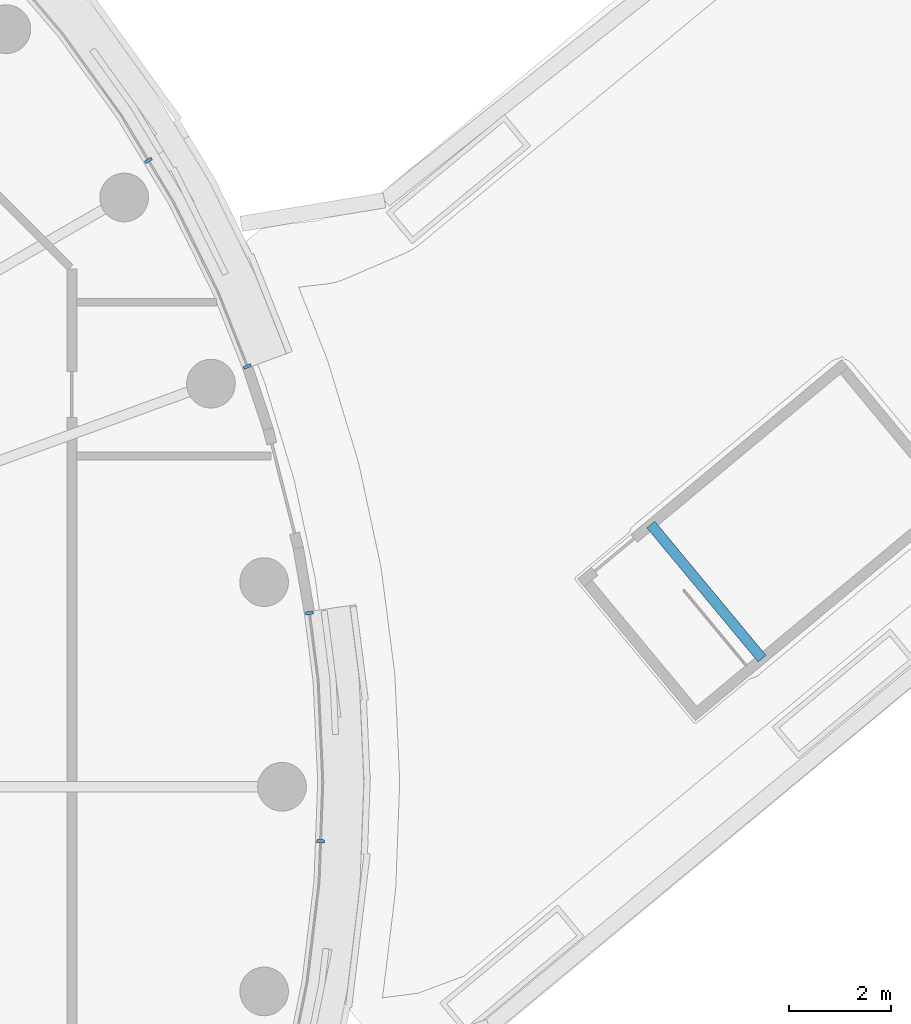
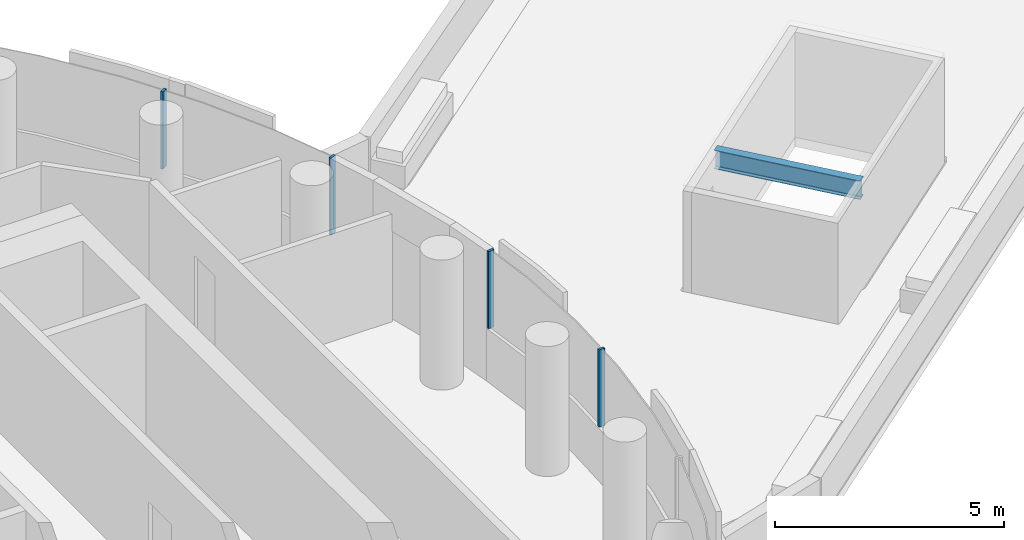
# One storey, part 14 of 34: 4 members, 1 beam, 1 element without a shape of its own.
"""IFC4 building model written with IfcOpenShell, lengths in metres."""

import ifcopenshell
import ifcopenshell.guid

model = None  # the IFC model being written
_history = None  # IfcOwnerHistory: only IFC2X3 demands one
_inside = {}  # id of a spatial element -> (the spatial element, [elements in it])
_under = {}  # id of a project, library or spatial element -> (it, [spatial elements below it])
_declared = {}  # id of a project -> (the project, [libraries it declares])
_typed = {}  # id of a type object -> (the type object, [elements of that type])
_made_of = {}  # id of a material, layer set ... -> (it, [elements and type objects made of it])


def new_model(schema):
    """Start an empty IFC model of exactly this schema.

    Asked for "IFC4X3", IfcOpenShell would pick the latest addendum, in which some entities
    have other attributes; the version numbers below select the first issue.
    IFC2X3 requires an IfcOwnerHistory on every rooted entity: one is made here for all.
    """
    global model, _history
    if schema == "IFC4X3":
        model = ifcopenshell.file(schema_version=(4, 3, 0, 0))
    else:
        model = ifcopenshell.file(schema=schema)
    _inside.clear()
    _under.clear()
    _declared.clear()
    _typed.clear()
    _made_of.clear()
    _history = None
    if model.schema == "IFC2X3":
        org = make("IfcOrganization", Name="unknown")
        user = make(
            "IfcPersonAndOrganization",
            ThePerson=make("IfcPerson", FamilyName="unknown"),
            TheOrganization=org,
        )
        app = make(
            "IfcApplication",
            ApplicationDeveloper=org,
            Version="unknown",
            ApplicationFullName="unknown",
            ApplicationIdentifier="unknown",
        )
        _history = make(
            "IfcOwnerHistory",
            OwningUser=user,
            OwningApplication=app,
            ChangeAction="ADDED",
            CreationDate=0,
        )
    return model


def make(cls, **values):
    """One entity of the class cls with the attributes given. An attribute that is None is left unset."""
    return model.create_entity(
        cls, **{name: value for name, value in values.items() if value is not None}
    )


def rooted(cls, **values):
    """An entity with a GlobalId (a new one), such as an element, a storey or a relation."""
    return make(cls, GlobalId=ifcopenshell.guid.new(), OwnerHistory=_history, **values)


def si_unit(unit_type, name, prefix=None):
    """IfcSIUnit, for example si_unit("LENGTHUNIT", "METRE", prefix="MILLI")."""
    return make("IfcSIUnit", UnitType=unit_type, Prefix=prefix, Name=name)


def assignment(units):
    """IfcUnitAssignment: the units of a project."""
    return None if units is None else make("IfcUnitAssignment", Units=units)


def point(xyz):
    """IfcCartesianPoint."""
    return None if xyz is None else make("IfcCartesianPoint", Coordinates=xyz)


def direction(xyz):
    """IfcDirection."""
    return None if xyz is None else make("IfcDirection", DirectionRatios=xyz)


def frame(location, z_axis=None, x_axis=None):
    """IfcAxis2Placement3D, a coordinate frame: its origin and axes. An axis left out is left unset."""
    return make(
        "IfcAxis2Placement3D",
        Location=point(location),
        Axis=direction(z_axis),
        RefDirection=direction(x_axis),
    )


def frame_2d(location, x_axis=None):
    """IfcAxis2Placement2D, a coordinate frame in the plane: its origin and x axis."""
    return make(
        "IfcAxis2Placement2D", Location=point(location), RefDirection=direction(x_axis)
    )


def origin():
    """The frame at (0, 0, 0) with its axes left unset."""
    return frame((0.0, 0.0, 0.0))


def origin_2d():
    """The frame at (0, 0) in the plane with its x axis left unset."""
    return frame_2d((0.0, 0.0))


def place(relative_to, where):
    """IfcLocalPlacement: puts the frame where relative to a parent placement (None: the world)."""
    return make(
        "IfcLocalPlacement", PlacementRelTo=relative_to, RelativePlacement=where
    )


def context(
    kind, dimensions, precision=None, world=None, true_north=None, identifier=None
):
    """IfcGeometricRepresentationContext, for example the 3D "Model" context."""
    return make(
        "IfcGeometricRepresentationContext",
        ContextIdentifier=identifier,
        ContextType=kind,
        CoordinateSpaceDimension=dimensions,
        Precision=precision,
        WorldCoordinateSystem=world,
        TrueNorth=true_north,
    )


def subcontext(parent, identifier, kind, view, scale=None):
    """IfcGeometricRepresentationSubContext, for example "Body" below "Model"."""
    return make(
        "IfcGeometricRepresentationSubContext",
        ContextIdentifier=identifier,
        ContextType=kind,
        ParentContext=parent,
        TargetScale=scale,
        TargetView=view,
    )


def project(units=None, contexts=None):
    """IfcProject with its units and contexts."""
    return rooted(
        "IfcProject",
        Name="project",
        RepresentationContexts=contexts,
        UnitsInContext=assignment(units),
    )


def spatial(cls, under=None, at=None, **own):
    """A site, building, storey or space (cls), placed at a placement, below another one or the project."""
    s = rooted(cls, ObjectPlacement=at, **own)
    if under is not None:
        _under.setdefault(under.id(), (under, []))[1].append(s)
    return s


def profile(cls, at=None, kind="AREA", **sizes):
    """A parametric profile (cls). Its sizes go by their IFC names, for example OverallWidth=200.0."""
    return make(cls, ProfileType=kind, Position=at, **sizes)


def rectangle(**sizes):
    """IfcRectangleProfileDef."""
    return profile("IfcRectangleProfileDef", **sizes)


def i_section(**sizes):
    """IfcIShapeProfileDef."""
    return profile("IfcIShapeProfileDef", **sizes)


def extrude(swept, where, along, depth):
    """IfcExtrudedAreaSolid: the profile swept, set in the frame where, extruded along a direction by depth."""
    return make(
        "IfcExtrudedAreaSolid",
        SweptArea=swept,
        Position=where,
        ExtrudedDirection=direction(along),
        Depth=depth,
    )


def shape(context_of_items, identifier, shape_type, items):
    """IfcShapeRepresentation: the items that make up one representation, for example the "Body"."""
    return make(
        "IfcShapeRepresentation",
        ContextOfItems=context_of_items,
        RepresentationIdentifier=identifier,
        RepresentationType=shape_type,
        Items=items,
    )


def material(Name=None, Category=None):
    """IfcMaterial."""
    return make("IfcMaterial", Name=Name, Category=Category)


def layer(
    of_material, thickness, ventilated=None, Name=None, Category=None, Priority=None
):
    """IfcMaterialLayer: one layer of a wall or slab, of a material (None: an air gap)."""
    return make(
        "IfcMaterialLayer",
        Material=of_material,
        LayerThickness=thickness,
        IsVentilated=ventilated,
        Name=Name,
        Category=Category,
        Priority=Priority,
    )


def layer_set(layers, Name=None):
    """IfcMaterialLayerSet."""
    return make("IfcMaterialLayerSet", MaterialLayers=layers, LayerSetName=Name)


def material_profile(
    of_material, cross_section, Name=None, Category=None, Priority=None
):
    """IfcMaterialProfile: a cross section and its material."""
    return make(
        "IfcMaterialProfile",
        Name=Name,
        Material=of_material,
        Profile=cross_section,
        Priority=Priority,
        Category=Category,
    )


def profile_set(profiles, Name=None, composite=None):
    """IfcMaterialProfileSet."""
    return make(
        "IfcMaterialProfileSet",
        Name=Name,
        MaterialProfiles=profiles,
        CompositeProfile=composite,
    )


def made_of(thing, what):
    """Note that an element or type object is made of a material, layer set ...; save() writes the relation."""
    if what is not None:
        _made_of.setdefault(what.id(), (what, []))[1].append(thing)
    return thing


def type_object(cls, material=None, **own):
    """A type object (cls), such as IfcWallType, which elements share."""
    return made_of(rooted(cls, **own), material)


def element(
    cls,
    number,
    at=None,
    inside=None,
    cuts=None,
    type_object=None,
    material=None,
    context=None,
    identifier="Body",
    shape_type=None,
    held_by="IfcProductDefinitionShape",
    body=None,
    shapes=None,
    **own,
):
    """One element of the class cls, such as IfcWall. Its Tag is "e" and its number.

    at: its placement. inside: the storey or other place that contains it. cuts: it is an
    opening in that element (IfcRelVoidsElement). A single representation is given by context,
    identifier, shape_type and body (its items); several are given by shapes. held_by: the class
    of the entity that holds the representations. save() writes the other relations.
    """
    e = rooted(cls, Tag="e%d" % number, ObjectPlacement=at, **own)
    if body is not None:
        shapes = [shape(context, identifier, shape_type, body)]
    if shapes is not None:
        e.Representation = make(held_by, Representations=shapes)
    if inside is not None:
        _inside.setdefault(inside.id(), (inside, []))[1].append(e)
    if cuts is not None:
        rooted(
            "IfcRelVoidsElement", RelatingBuildingElement=cuts, RelatedOpeningElement=e
        )
    if type_object is not None:
        _typed.setdefault(type_object.id(), (type_object, []))[1].append(e)
    return made_of(e, material)


def aggregate(whole, parts):
    """IfcRelAggregates: a whole, such as a stair, and the parts it consists of."""
    return rooted("IfcRelAggregates", RelatingObject=whole, RelatedObjects=parts)


def save(model, path):
    """Write the relations noted so far, then the file.

    IfcRelAggregates (storeys below a building ...), IfcRelContainedInSpatialStructure (elements
    in a storey), IfcRelDefinesByType, IfcRelAssociatesMaterial and IfcRelDeclares: one each for
    every whole, place, type object, material and project.
    """
    for whole, parts in _under.values():
        aggregate(whole, parts)
    for where, things in _inside.values():
        rooted(
            "IfcRelContainedInSpatialStructure",
            RelatedElements=things,
            RelatingStructure=where,
        )
    for kind, things in _typed.values():
        rooted("IfcRelDefinesByType", RelatedObjects=things, RelatingType=kind)
    for what, things in _made_of.values():
        rooted("IfcRelAssociatesMaterial", RelatedObjects=things, RelatingMaterial=what)
    for by, libraries in _declared.values():
        rooted("IfcRelDeclares", RelatingContext=by, RelatedDefinitions=libraries)
    model.write(path)


model = new_model("IFC4")

# Units and contexts
model_context = context("Model", 3, precision=1e-05, world=origin(), true_north=direction((0.0, 1.0)))
body_context = subcontext(model_context, "Body", "Model", "MODEL_VIEW")
ifc_project = project(units=[si_unit("LENGTHUNIT", "METRE"), si_unit("AREAUNIT", "SQUARE_METRE"), si_unit("VOLUMEUNIT", "CUBIC_METRE"), si_unit("PLANEANGLEUNIT", "RADIAN"), si_unit("MASSUNIT", "GRAM", prefix="KILO")], contexts=[model_context])

# Site, building, storey
site_placement = place(None, origin())
site = spatial("IfcSite", under=ifc_project, at=site_placement, CompositionType="ELEMENT")
building_placement = place(site_placement, origin())
building = spatial("IfcBuilding", under=site, at=building_placement, Name="Tamarind Cross Interchange Tower", CompositionType="ELEMENT")
storey_placement = place(building_placement, frame((0.0, 0.0, 182.5)))
storey = spatial("IfcBuildingStorey", under=building, at=storey_placement, Name="L45", CompositionType="ELEMENT", Elevation=182.5)

# Beam
ifc_material_1 = material(Name="Steel Q355B", Category="steel")
ifc_material_profile_1 = material_profile(ifc_material_1, i_section(OverallWidth=0.198974609375, OverallDepth=0.49609375, WebThickness=0.009033203125, FlangeThickness=0.013916015625, FilletRadius=0.012939453125, at=origin_2d()), Name="HN 496x199x9x14")
ifc_profile_set_1 = profile_set([ifc_material_profile_1], Name="Steel Q355B")
beam_type = type_object("IfcBeamType", Name="Composite beam HN 496x199x9x14 Q355B", PredefinedType="BEAM", material=ifc_profile_set_1)
beam_placement = place(storey_placement, frame((30.197265625, 5.1162109375, 2.552001953125), z_axis=(0.63881312375, -0.769361938833, 0.0), x_axis=(0.769361938833, 0.63881312375, 0.0)))
element("IfcBeam", 1, at=beam_placement, inside=storey, type_object=beam_type, Name="Beam head house ST3", PredefinedType="BEAM", context=body_context, shape_type="SweptSolid", body=[
    extrude(i_section(OverallWidth=0.198974609375, OverallDepth=0.49609375, WebThickness=0.009033203125, FlangeThickness=0.013916015625, FilletRadius=0.012939453125, at=origin_2d()), origin(), (0.0, 0.0, 1.0), 3.39990234375),
])

# Curtain wall, members
ifc_material_2 = material(Name="Aluminium 6063-T6", Category="aluminium")
ifc_layer = layer(ifc_material_2, 0.14990234375)
ifc_layer_set = layer_set([ifc_layer], Name="Aluminium 6063-T6")
curtain_wall_type = type_object("IfcCurtainWallType", Name="Winter garden and crown curtain wall", PredefinedType="NOTDEFINED", material=ifc_layer_set)
curtain_wall_placement = place(storey_placement, origin())
curtain_wall = element("IfcCurtainWall", 2, at=curtain_wall_placement, inside=storey, type_object=curtain_wall_type, Name="CWS-L45-10", PredefinedType="NOTDEFINED")
ifc_material_profile_2 = material_profile(ifc_material_2, rectangle(XDim=0.06005859375, YDim=0.14990234375, at=origin_2d()), Name="Mullion CW6")
ifc_profile_set_2 = profile_set([ifc_material_profile_2], Name="Aluminium 6063-T6")
member_type = type_object("IfcMemberType", Name="Mullion CW6", PredefinedType="MULLION", material=ifc_profile_set_2)
member_1_placement = place(storey_placement, frame((23.75244140625, -1.0615234375, 1.39990234375), z_axis=(0.0, 0.0, 1.0), x_axis=(0.037024696392, 0.999314350871, 0.0)))
member_1 = element("IfcMember", 3, at=member_1_placement, type_object=member_type, Name="CWM-L45-10-06", PredefinedType="MULLION", context=body_context, shape_type="SweptSolid", body=[
    extrude(rectangle(XDim=0.06005859375, YDim=0.14990234375, at=origin_2d()), origin(), (0.0, 0.0, 1.0), 2.06005859375),
])
member_2_placement = place(storey_placement, frame((23.534912109375, 3.391845703125, 1.39990234375), z_axis=(0.0, 0.0, 1.0), x_axis=(-0.127962008342, 0.991779070368, 0.0)))
member_2 = element("IfcMember", 4, at=member_2_placement, type_object=member_type, Name="CWM-L45-10-07", PredefinedType="MULLION", context=body_context, shape_type="SweptSolid", body=[
    extrude(rectangle(XDim=0.06005859375, YDim=0.14990234375, at=origin_2d()), origin(), (0.0, 0.0, 1.0), 2.06005859375),
])
member_3_placement = place(storey_placement, frame((22.32275390625, 8.20361328125, 1.39990234375), z_axis=(0.0, 0.0, 1.0), x_axis=(-0.367513773146, 0.930018078613, 0.0)))
member_3 = element("IfcMember", 5, at=member_3_placement, type_object=member_type, Name="CWM-L45-10-08", PredefinedType="MULLION", context=body_context, shape_type="SweptSolid", body=[
    extrude(rectangle(XDim=0.06005859375, YDim=0.14990234375, at=origin_2d()), origin(), (0.0, 0.0, 1.0), 2.06005859375),
])
member_4_placement = place(storey_placement, frame((20.392822265625, 12.22314453125, 1.39990234375), z_axis=(0.0, 0.0, 1.0), x_axis=(-0.515577308909, 0.856843065292, 0.0)))
member_4 = element("IfcMember", 6, at=member_4_placement, type_object=member_type, Name="CWM-L45-10-09", PredefinedType="MULLION", context=body_context, shape_type="SweptSolid", body=[
    extrude(rectangle(XDim=0.06005859375, YDim=0.14990234375, at=origin_2d()), origin(), (0.0, 0.0, 1.0), 2.06005859375),
])
aggregate(curtain_wall, [member_1, member_2, member_3, member_4])

save(model, "model.ifc")
